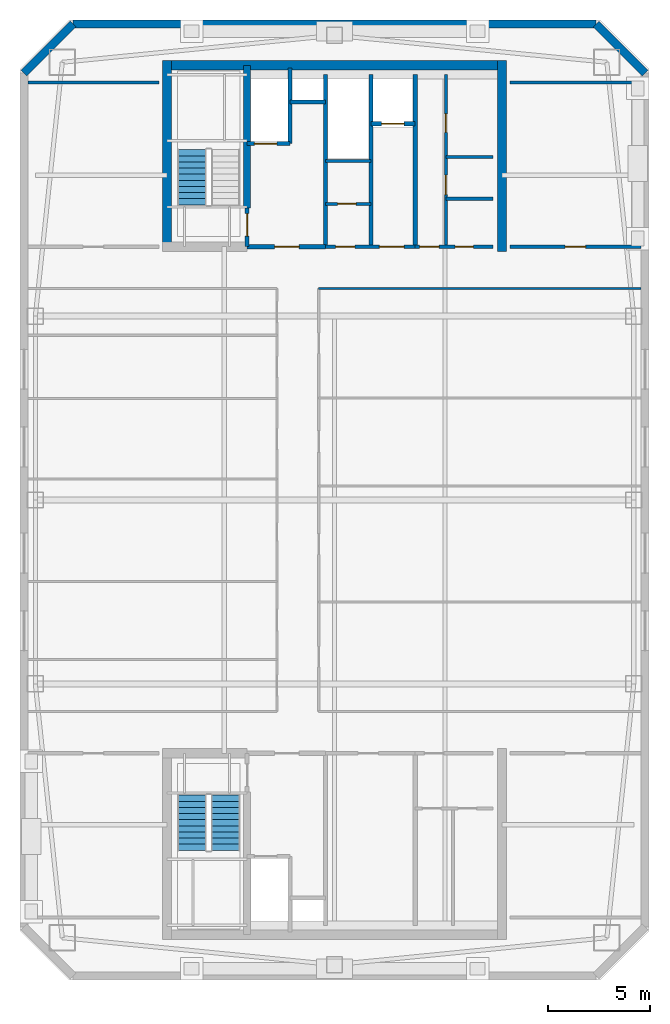
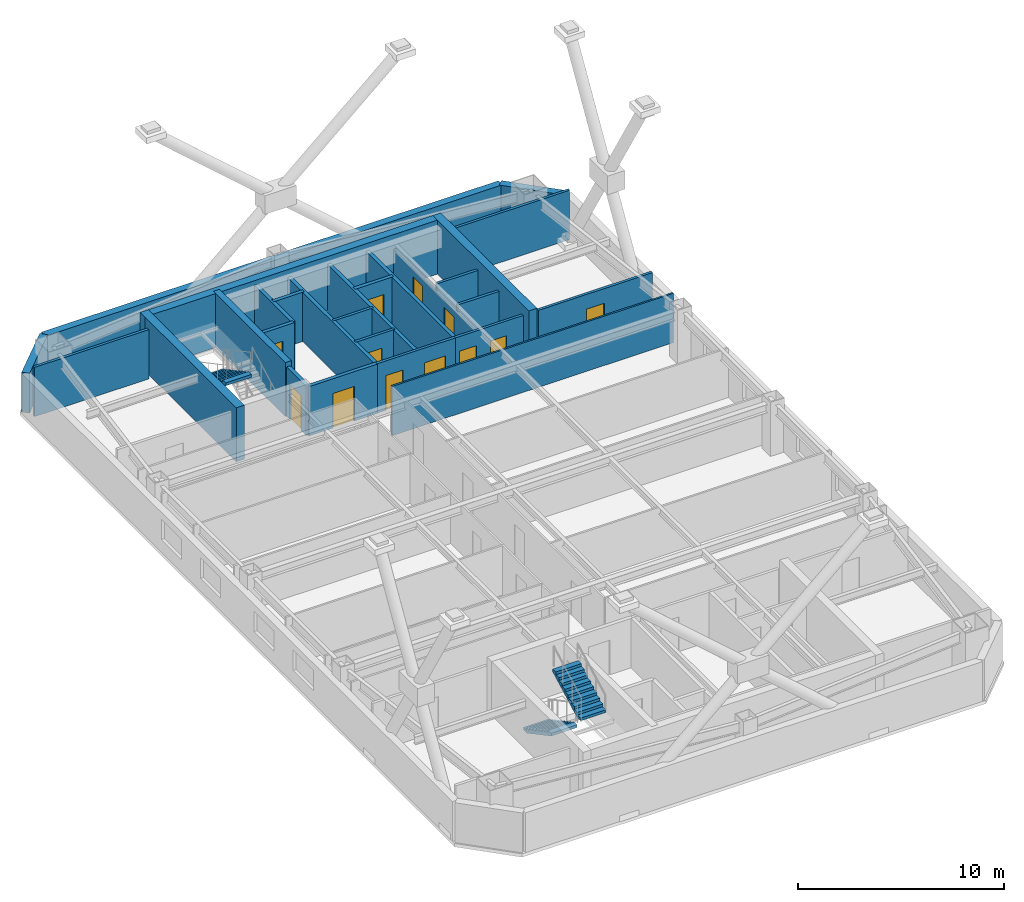
# One storey, part 4 of 6: 27 walls, 12 doors, 3 stair flights, 12 openings, 2 elements without a shape of their own.
"""IFC4 building model written with IfcOpenShell, lengths in metres."""

import ifcopenshell
import ifcopenshell.guid

model = None  # the IFC model being written
_history = None  # IfcOwnerHistory: only IFC2X3 demands one
_inside = {}  # id of a spatial element -> (the spatial element, [elements in it])
_under = {}  # id of a project, library or spatial element -> (it, [spatial elements below it])
_declared = {}  # id of a project -> (the project, [libraries it declares])
_typed = {}  # id of a type object -> (the type object, [elements of that type])
_made_of = {}  # id of a material, layer set ... -> (it, [elements and type objects made of it])


def new_model(schema):
    """Start an empty IFC model of exactly this schema.

    Asked for "IFC4X3", IfcOpenShell would pick the latest addendum, in which some entities
    have other attributes; the version numbers below select the first issue.
    IFC2X3 requires an IfcOwnerHistory on every rooted entity: one is made here for all.
    """
    global model, _history
    if schema == "IFC4X3":
        model = ifcopenshell.file(schema_version=(4, 3, 0, 0))
    else:
        model = ifcopenshell.file(schema=schema)
    _inside.clear()
    _under.clear()
    _declared.clear()
    _typed.clear()
    _made_of.clear()
    _history = None
    if model.schema == "IFC2X3":
        org = make("IfcOrganization", Name="unknown")
        user = make(
            "IfcPersonAndOrganization",
            ThePerson=make("IfcPerson", FamilyName="unknown"),
            TheOrganization=org,
        )
        app = make(
            "IfcApplication",
            ApplicationDeveloper=org,
            Version="unknown",
            ApplicationFullName="unknown",
            ApplicationIdentifier="unknown",
        )
        _history = make(
            "IfcOwnerHistory",
            OwningUser=user,
            OwningApplication=app,
            ChangeAction="ADDED",
            CreationDate=0,
        )
    return model


def make(cls, **values):
    """One entity of the class cls with the attributes given. An attribute that is None is left unset."""
    return model.create_entity(
        cls, **{name: value for name, value in values.items() if value is not None}
    )


def rooted(cls, **values):
    """An entity with a GlobalId (a new one), such as an element, a storey or a relation."""
    return make(cls, GlobalId=ifcopenshell.guid.new(), OwnerHistory=_history, **values)


def si_unit(unit_type, name, prefix=None):
    """IfcSIUnit, for example si_unit("LENGTHUNIT", "METRE", prefix="MILLI")."""
    return make("IfcSIUnit", UnitType=unit_type, Prefix=prefix, Name=name)


def assignment(units):
    """IfcUnitAssignment: the units of a project."""
    return None if units is None else make("IfcUnitAssignment", Units=units)


def point(xyz):
    """IfcCartesianPoint."""
    return None if xyz is None else make("IfcCartesianPoint", Coordinates=xyz)


def direction(xyz):
    """IfcDirection."""
    return None if xyz is None else make("IfcDirection", DirectionRatios=xyz)


def frame(location, z_axis=None, x_axis=None):
    """IfcAxis2Placement3D, a coordinate frame: its origin and axes. An axis left out is left unset."""
    return make(
        "IfcAxis2Placement3D",
        Location=point(location),
        Axis=direction(z_axis),
        RefDirection=direction(x_axis),
    )


def frame_2d(location, x_axis=None):
    """IfcAxis2Placement2D, a coordinate frame in the plane: its origin and x axis."""
    return make(
        "IfcAxis2Placement2D", Location=point(location), RefDirection=direction(x_axis)
    )


def origin():
    """The frame at (0, 0, 0) with its axes left unset."""
    return frame((0.0, 0.0, 0.0))


def place(relative_to, where):
    """IfcLocalPlacement: puts the frame where relative to a parent placement (None: the world)."""
    return make(
        "IfcLocalPlacement", PlacementRelTo=relative_to, RelativePlacement=where
    )


def context(
    kind, dimensions, precision=None, world=None, true_north=None, identifier=None
):
    """IfcGeometricRepresentationContext, for example the 3D "Model" context."""
    return make(
        "IfcGeometricRepresentationContext",
        ContextIdentifier=identifier,
        ContextType=kind,
        CoordinateSpaceDimension=dimensions,
        Precision=precision,
        WorldCoordinateSystem=world,
        TrueNorth=true_north,
    )


def subcontext(parent, identifier, kind, view, scale=None):
    """IfcGeometricRepresentationSubContext, for example "Body" below "Model"."""
    return make(
        "IfcGeometricRepresentationSubContext",
        ContextIdentifier=identifier,
        ContextType=kind,
        ParentContext=parent,
        TargetScale=scale,
        TargetView=view,
    )


def project(units=None, contexts=None):
    """IfcProject with its units and contexts."""
    return rooted(
        "IfcProject",
        Name="project",
        RepresentationContexts=contexts,
        UnitsInContext=assignment(units),
    )


def spatial(cls, under=None, at=None, **own):
    """A site, building, storey or space (cls), placed at a placement, below another one or the project."""
    s = rooted(cls, ObjectPlacement=at, **own)
    if under is not None:
        _under.setdefault(under.id(), (under, []))[1].append(s)
    return s


def polyline(points):
    """IfcPolyline through the points."""
    return make("IfcPolyline", Points=[point(p) for p in points])


def profile(cls, at=None, kind="AREA", **sizes):
    """A parametric profile (cls). Its sizes go by their IFC names, for example OverallWidth=200.0."""
    return make(cls, ProfileType=kind, Position=at, **sizes)


def rectangle(**sizes):
    """IfcRectangleProfileDef."""
    return profile("IfcRectangleProfileDef", **sizes)


def outline(outer, holes=None, kind="AREA"):
    """IfcArbitraryClosedProfileDef: a profile drawn as a closed curve; with holes, ...WithVoids."""
    if holes is None:
        return make("IfcArbitraryClosedProfileDef", ProfileType=kind, OuterCurve=outer)
    return make(
        "IfcArbitraryProfileDefWithVoids",
        ProfileType=kind,
        OuterCurve=outer,
        InnerCurves=holes,
    )


def extrude(swept, where, along, depth):
    """IfcExtrudedAreaSolid: the profile swept, set in the frame where, extruded along a direction by depth."""
    return make(
        "IfcExtrudedAreaSolid",
        SweptArea=swept,
        Position=where,
        ExtrudedDirection=direction(along),
        Depth=depth,
    )


def shape(context_of_items, identifier, shape_type, items):
    """IfcShapeRepresentation: the items that make up one representation, for example the "Body"."""
    return make(
        "IfcShapeRepresentation",
        ContextOfItems=context_of_items,
        RepresentationIdentifier=identifier,
        RepresentationType=shape_type,
        Items=items,
    )


def material(Name=None, Category=None):
    """IfcMaterial."""
    return make("IfcMaterial", Name=Name, Category=Category)


def layer(
    of_material, thickness, ventilated=None, Name=None, Category=None, Priority=None
):
    """IfcMaterialLayer: one layer of a wall or slab, of a material (None: an air gap)."""
    return make(
        "IfcMaterialLayer",
        Material=of_material,
        LayerThickness=thickness,
        IsVentilated=ventilated,
        Name=Name,
        Category=Category,
        Priority=Priority,
    )


def layer_set(layers, Name=None):
    """IfcMaterialLayerSet."""
    return make("IfcMaterialLayerSet", MaterialLayers=layers, LayerSetName=Name)


def made_of(thing, what):
    """Note that an element or type object is made of a material, layer set ...; save() writes the relation."""
    if what is not None:
        _made_of.setdefault(what.id(), (what, []))[1].append(thing)
    return thing


def type_object(cls, material=None, **own):
    """A type object (cls), such as IfcWallType, which elements share."""
    return made_of(rooted(cls, **own), material)


def element(
    cls,
    number,
    at=None,
    inside=None,
    cuts=None,
    type_object=None,
    material=None,
    context=None,
    identifier="Body",
    shape_type=None,
    held_by="IfcProductDefinitionShape",
    body=None,
    shapes=None,
    **own,
):
    """One element of the class cls, such as IfcWall. Its Tag is "e" and its number.

    at: its placement. inside: the storey or other place that contains it. cuts: it is an
    opening in that element (IfcRelVoidsElement). A single representation is given by context,
    identifier, shape_type and body (its items); several are given by shapes. held_by: the class
    of the entity that holds the representations. save() writes the other relations.
    """
    e = rooted(cls, Tag="e%d" % number, ObjectPlacement=at, **own)
    if body is not None:
        shapes = [shape(context, identifier, shape_type, body)]
    if shapes is not None:
        e.Representation = make(held_by, Representations=shapes)
    if inside is not None:
        _inside.setdefault(inside.id(), (inside, []))[1].append(e)
    if cuts is not None:
        rooted(
            "IfcRelVoidsElement", RelatingBuildingElement=cuts, RelatedOpeningElement=e
        )
    if type_object is not None:
        _typed.setdefault(type_object.id(), (type_object, []))[1].append(e)
    return made_of(e, material)


def fill(opening, filler):
    """IfcRelFillsElement: the door or window that sits in an opening."""
    return rooted(
        "IfcRelFillsElement",
        RelatingOpeningElement=opening,
        RelatedBuildingElement=filler,
    )


def aggregate(whole, parts):
    """IfcRelAggregates: a whole, such as a stair, and the parts it consists of."""
    return rooted("IfcRelAggregates", RelatingObject=whole, RelatedObjects=parts)


def save(model, path):
    """Write the relations noted so far, then the file.

    IfcRelAggregates (storeys below a building ...), IfcRelContainedInSpatialStructure (elements
    in a storey), IfcRelDefinesByType, IfcRelAssociatesMaterial and IfcRelDeclares: one each for
    every whole, place, type object, material and project.
    """
    for whole, parts in _under.values():
        aggregate(whole, parts)
    for where, things in _inside.values():
        rooted(
            "IfcRelContainedInSpatialStructure",
            RelatedElements=things,
            RelatingStructure=where,
        )
    for kind, things in _typed.values():
        rooted("IfcRelDefinesByType", RelatedObjects=things, RelatingType=kind)
    for what, things in _made_of.values():
        rooted("IfcRelAssociatesMaterial", RelatedObjects=things, RelatingMaterial=what)
    for by, libraries in _declared.values():
        rooted("IfcRelDeclares", RelatingContext=by, RelatedDefinitions=libraries)
    model.write(path)


model = new_model("IFC4")

# Units and contexts
model_context = context("Model", 3, precision=1e-05, world=origin(), true_north=direction((0.0, 1.0)))
body_context = subcontext(model_context, "Body", "Model", "MODEL_VIEW")
ifc_project = project(units=[si_unit("LENGTHUNIT", "METRE"), si_unit("AREAUNIT", "SQUARE_METRE"), si_unit("VOLUMEUNIT", "CUBIC_METRE"), si_unit("PLANEANGLEUNIT", "RADIAN"), si_unit("MASSUNIT", "GRAM", prefix="KILO")], contexts=[model_context])

# Site, building, storey
site_placement = place(None, origin())
site = spatial("IfcSite", under=ifc_project, at=site_placement, CompositionType="ELEMENT")
building_placement = place(site_placement, origin())
building = spatial("IfcBuilding", under=site, at=building_placement, Name="Qiaolan Cultural Towers", CompositionType="ELEMENT")
storey_placement = place(building_placement, frame((0.0, 0.0, 263.199951171875)))
storey = spatial("IfcBuildingStorey", under=building, at=storey_placement, Name="L72", CompositionType="ELEMENT", Elevation=263.199951171875)

# Walls
ifc_material_1 = material(Name="Concrete C50", Category="concrete")
ifc_layer_1 = layer(ifc_material_1, 0.35009765625)
ifc_layer_set_1 = layer_set([ifc_layer_1], Name="Concrete C50")
wall_type_1 = type_object("IfcWallType", Name="WL-CORE-350", PredefinedType="SHEAR", material=ifc_layer_set_1)
wall_1_placement = place(storey_placement, frame((25.719970703125, 48.300048828125, 0.0), z_axis=(0.0, 0.0, 1.0), x_axis=(0.0, 1.0, 0.0)))
element("IfcWall", 1, at=wall_1_placement, inside=storey, type_object=wall_type_1, Name="L72 T1-CN Stair Core Dividing Web", PredefinedType="SHEAR", context=body_context, shape_type="SweptSolid", body=[
    extrude(rectangle(XDim=6.97998046875, YDim=0.35009765625, at=frame_2d((3.489990234375, 0.0))), origin(), (0.0, 0.0, 1.0), 3.199951171875),
])
ifc_material_2 = material(Name="Concrete C50", Category="concrete")
ifc_layer_2 = layer(ifc_material_2, 0.449951171875)
ifc_layer_set_2 = layer_set([ifc_layer_2], Name="Concrete C50")
wall_type_2 = type_object("IfcWallType", Name="WL-CORE-450", PredefinedType="SHEAR", material=ifc_layer_set_2)
wall_2_placement = place(storey_placement, frame((21.574951171875, 55.280029296875, 0.0), z_axis=(0.0, 0.0, 1.0), x_axis=(1.0, 0.0, 0.0)))
element("IfcWall", 2, at=wall_2_placement, inside=storey, type_object=wall_type_2, Name="L72 T1-CN Outer Core Shear Wall", PredefinedType="SHEAR", context=body_context, shape_type="SweptSolid", body=[
    extrude(rectangle(XDim=16.85009765625, YDim=0.449951171875, at=frame_2d((8.425048828125, 0.0))), origin(), (0.0, 0.0, 1.0), 3.199951171875),
])
for number, where, z_axis, x_axis, name in (
    (3, (21.800048828125, 46.175048828125, 0.0), (0.0, 0.0, 1.0), (0.0, 1.0, 0.0), "L72 T1-CN West Core Shear Wall"),
    (4, (38.199951171875, 46.175048828125, 0.0), (0.0, 0.0, 1.0), (0.0, 1.0, 0.0), "L72 T1-CN East Core Shear Wall"),
):
    element("IfcWall", number, at=place(storey_placement, frame(where, z_axis=z_axis, x_axis=x_axis)), inside=storey, type_object=wall_type_2, Name=name, PredefinedType="SHEAR", context=body_context, shape_type="SweptSolid", body=[
        extrude(rectangle(XDim=9.329833984375, YDim=0.449951171875, at=frame_2d((4.6650390625, 0.0))), origin(), (0.0, 0.0, 1.0), 3.199951171875),
    ])
ifc_material_3 = material(Name="Precast Concrete C50 Honed Stone Pier", Category="masonry")
ifc_layer_3 = layer(ifc_material_3, 0.39990234375)
ifc_layer_set_3 = layer_set([ifc_layer_3], Name="Precast Concrete C50 Honed Stone Pier")
wall_type_3 = type_object("IfcWallType", Name="WL-EXT-PIER-400", PredefinedType="SOLIDWALL", material=ifc_layer_set_3)
wall_3_placement = place(storey_placement, frame((14.800048828125, 54.89990234375, 0.0), z_axis=(0.0, 0.0, 1.0), x_axis=(0.707070815327, 0.707142745217, 0.0)))
element("IfcWall", 5, at=wall_3_placement, inside=storey, type_object=wall_type_3, Name="L72 West Tower Precast Pier Facade Wall F2", PredefinedType="SOLIDWALL", context=body_context, shape_type="SweptSolid", body=[
    extrude(rectangle(XDim=3.39404296875, YDim=0.39990234375, at=frame_2d((1.697021484375, 0.0))), origin(), (0.0, 0.0, 1.0), 2.360107421875),
])
wall_4_placement = place(storey_placement, frame((17.199951171875, 57.300048828125, 0.0), z_axis=(0.0, 0.0, 1.0), x_axis=(1.0, 0.0, 0.0)))
element("IfcWall", 6, at=wall_4_placement, inside=storey, type_object=wall_type_3, Name="L72 West Tower Precast Pier Facade Wall F3", PredefinedType="SOLIDWALL", context=body_context, shape_type="SweptSolid", body=[
    extrude(rectangle(XDim=25.60009765625, YDim=0.39990234375, at=frame_2d((12.800048828125, 0.0))), origin(), (0.0, 0.0, 1.0), 2.360107421875),
])
wall_5_placement = place(storey_placement, frame((42.800048828125, 57.300048828125, 0.0), z_axis=(0.0, 0.0, 1.0), x_axis=(0.707070815327, -0.707142745217, 0.0)))
element("IfcWall", 7, at=wall_5_placement, inside=storey, type_object=wall_type_3, Name="L72 West Tower Precast Pier Facade Wall F4", PredefinedType="SOLIDWALL", context=body_context, shape_type="SweptSolid", body=[
    extrude(rectangle(XDim=3.39404296875, YDim=0.39990234375, at=frame_2d((1.697021484375, 0.0))), origin(), (0.0, 0.0, 1.0), 2.360107421875),
])

# Wall, opening, door
ifc_material_4 = material(Name="Concrete C35 Fire Wall", Category="concrete")
ifc_layer_4 = layer(ifc_material_4, 0.199951171875)
ifc_layer_set_4 = layer_set([ifc_layer_4], Name="Concrete C35 Fire Wall")
wall_type_4 = type_object("IfcWallType", Name="WL-FIRE-200", PredefinedType="PARTITIONING", material=ifc_layer_set_4)
wall_6_placement = place(storey_placement, frame((25.719970703125, 46.39990234375, 0.0), z_axis=(0.0, 0.0, 1.0), x_axis=(0.0, 1.0, 0.0)))
wall_6 = element("IfcWall", 8, at=wall_6_placement, inside=storey, type_object=wall_type_4, Name="L72 T1-CN Smokeproof Stair Entry Wall", PredefinedType="PARTITIONING", context=body_context, shape_type="SweptSolid", body=[
    extrude(rectangle(XDim=1.900146484375, YDim=0.199951171875, at=frame_2d((0.9501953125, 0.0))), origin(), (0.0, 0.0, 1.0), 2.925048828125),
])
opening_1_placement = place(wall_6_placement, frame((0.52001953125, 0.0, 0.0)))
opening_1 = element("IfcOpeningElement", 9, at=opening_1_placement, cuts=wall_6, Name="Opening FD-04", PredefinedType="OPENING", context=body_context, shape_type="SweptSolid", body=[
    extrude(rectangle(XDim=1.10009765625, YDim=2.050048828125, at=frame_2d((0.550048828125, 1.02490234375))), frame((0.0, 0.10986328125, 0.0), z_axis=(0.0, -1.0, 0.0), x_axis=(1.0, 0.0, 0.0)), (0.0, 0.0, 1.0), 0.219970703125),
])
ifc_material_5 = material(Name="Galvanized Steel Command Fire Door", Category="steel")
door_type_1 = type_object("IfcDoorType", Name="DR-FD90-1100", OperationType="NOTDEFINED", PredefinedType="DOOR", material=ifc_material_5)
door_1_placement = place(opening_1_placement, origin())
door_1 = element("IfcDoor", 10, at=door_1_placement, inside=storey, type_object=door_type_1, Name="L72 ST-W2 Smokeproof Stair Fire Door", OperationType="SINGLE_SWING_LEFT", OverallHeight=2.050048828125, OverallWidth=1.10009765625, PredefinedType="DOOR", context=body_context, shape_type="SweptSolid", body=[
    extrude(rectangle(XDim=1.10009765625, YDim=2.050048828125, at=frame_2d((0.550048828125, 1.02490234375))), frame((0.0, 0.02490234375, 0.0), z_axis=(0.0, -1.0, 0.0), x_axis=(1.0, 0.0, 0.0)), (0.0, 0.0, 1.0), 0.050048828125),
])
fill(opening_1, door_1)

# Wall
wall_7_placement = place(storey_placement, frame((29.550048828125, 46.39990234375, 0.0), z_axis=(0.0, 0.0, 1.0), x_axis=(0.0, 1.0, 0.0)))
element("IfcWall", 11, at=wall_7_placement, inside=storey, type_object=wall_type_4, Name="L72 T1-CN Firefighting Zone Wall", PredefinedType="PARTITIONING", context=body_context, shape_type="SweptSolid", body=[
    extrude(rectangle(XDim=8.43017578125, YDim=0.199951171875, at=frame_2d((4.215087890625, 0.0))), origin(), (0.0, 0.0, 1.0), 2.925048828125),
])

# Wall, opening, door
wall_8_placement = place(storey_placement, frame((25.719970703125, 46.39990234375, 0.0), z_axis=(0.0, 0.0, 1.0), x_axis=(1.0, 0.0, 0.0)))
wall_8 = element("IfcWall", 12, at=wall_8_placement, inside=storey, type_object=wall_type_4, Name="L72 T1-CN Firefighting Lobby Front Wall", PredefinedType="PARTITIONING", context=body_context, shape_type="SweptSolid", body=[
    extrude(rectangle(XDim=3.830078125, YDim=0.199951171875, at=frame_2d((1.9150390625, 0.0))), origin(), (0.0, 0.0, 1.0), 2.925048828125),
])
opening_2_placement = place(wall_8_placement, frame((1.35009765625, 0.0, 0.0)))
opening_2 = element("IfcOpeningElement", 13, at=opening_2_placement, cuts=wall_8, Name="Opening FD-03", PredefinedType="OPENING", context=body_context, shape_type="SweptSolid", body=[
    extrude(rectangle(XDim=1.199951171875, YDim=2.050048828125, at=frame_2d((0.60009765625, 1.02490234375))), frame((0.0, 0.10986328125, 0.0), z_axis=(0.0, -1.0, 0.0), x_axis=(1.0, 0.0, 0.0)), (0.0, 0.0, 1.0), 0.219970703125),
])
ifc_material_6 = material(Name="Galvanized Steel Smokeproof Lobby Fire Door", Category="steel")
door_type_2 = type_object("IfcDoorType", Name="DR-FD90-1200", OperationType="NOTDEFINED", PredefinedType="DOOR", material=ifc_material_6)
door_2_placement = place(opening_2_placement, origin())
door_2 = element("IfcDoor", 14, at=door_2_placement, inside=storey, type_object=door_type_2, Name="L72 FFL-W2 Firefighting Lobby Fire Door", OperationType="SINGLE_SWING_LEFT", OverallHeight=2.050048828125, OverallWidth=1.199951171875, PredefinedType="DOOR", context=body_context, shape_type="SweptSolid", body=[
    extrude(rectangle(XDim=1.199951171875, YDim=2.050048828125, at=frame_2d((0.60009765625, 1.02490234375))), frame((0.0, 0.02490234375, 0.0), z_axis=(0.0, -1.0, 0.0), x_axis=(1.0, 0.0, 0.0)), (0.0, 0.0, 1.0), 0.050048828125),
])
fill(opening_2, door_2)

wall_9_placement = place(storey_placement, frame((25.719970703125, 51.449951171875, 0.0), z_axis=(0.0, 0.0, 1.0), x_axis=(1.0, 0.0, 0.0)))
wall_9 = element("IfcWall", 15, at=wall_9_placement, inside=storey, type_object=wall_type_4, Name="L72 T1-CN Firefighting Shaft Front Wall", PredefinedType="PARTITIONING", context=body_context, shape_type="SweptSolid", body=[
    extrude(rectangle(XDim=2.10009765625, YDim=0.199951171875, at=frame_2d((1.050048828125, 0.0))), origin(), (0.0, 0.0, 1.0), 2.925048828125),
])
opening_3_placement = place(wall_9_placement, frame((0.35009765625, 0.0, 0.0)))
opening_3 = element("IfcOpeningElement", 16, at=opening_3_placement, cuts=wall_9, Name="Opening LD-01", PredefinedType="OPENING", context=body_context, shape_type="SweptSolid", body=[
    extrude(rectangle(XDim=1.10009765625, YDim=2.050048828125, at=frame_2d((0.550048828125, 1.02490234375))), frame((0.0, 0.10986328125, 0.0), z_axis=(0.0, -1.0, 0.0), x_axis=(1.0, 0.0, 0.0)), (0.0, 0.0, 1.0), 0.219970703125),
])
ifc_material_7 = material(Name="Brushed Stainless Steel S30408 Centre-Parting Lift Landing Door", Category="steel")
door_type_3 = type_object("IfcDoorType", Name="DR-LIFT-1100", OperationType="NOTDEFINED", PredefinedType="DOOR", material=ifc_material_7)
door_3_placement = place(opening_3_placement, origin())
door_3 = element("IfcDoor", 17, at=door_3_placement, inside=storey, type_object=door_type_3, Name="L72 FFL-W2 Firefighting Lift Landing Door", OperationType="DOUBLE_DOOR_SLIDING", OverallHeight=2.050048828125, OverallWidth=1.10009765625, PredefinedType="DOOR", context=body_context, shape_type="SweptSolid", body=[
    extrude(rectangle(XDim=1.10009765625, YDim=2.050048828125, at=frame_2d((0.550048828125, 1.02490234375))), frame((0.0, 0.02490234375, 0.0), z_axis=(0.0, -1.0, 0.0), x_axis=(1.0, 0.0, 0.0)), (0.0, 0.0, 1.0), 0.050048828125),
])
fill(opening_3, door_3)

# Walls
wall_10_placement = place(storey_placement, frame((27.820068359375, 51.449951171875, 0.0), z_axis=(0.0, 0.0, 1.0), x_axis=(0.0, 1.0, 0.0)))
element("IfcWall", 18, at=wall_10_placement, inside=storey, type_object=wall_type_4, Name="L72 T1-CN Firefighting Hoistway East Wall", PredefinedType="PARTITIONING", context=body_context, shape_type="SweptSolid", body=[
    extrude(rectangle(XDim=3.699951171875, YDim=0.199951171875, at=frame_2d((1.85009765625, 0.0))), origin(), (0.0, 0.0, 1.0), 2.925048828125),
])
wall_11_placement = place(storey_placement, frame((27.820068359375, 53.47998046875, 0.0), z_axis=(0.0, 0.0, 1.0), x_axis=(1.0, 0.0, 0.0)))
element("IfcWall", 19, at=wall_11_placement, inside=storey, type_object=wall_type_4, Name="L72 T1-CN Pressurization Shaft Front Wall", PredefinedType="PARTITIONING", context=body_context, shape_type="SweptSolid", body=[
    extrude(rectangle(XDim=1.72998046875, YDim=0.199951171875, at=frame_2d((0.864990234375, 0.0))), origin(), (0.0, 0.0, 1.0), 2.925048828125),
])
for number, where, z_axis, x_axis, name in (
    (20, (33.949951171875, 46.39990234375, 0.0), (0.0, 0.0, 1.0), (0.0, 1.0, 0.0), "L72 T1-CN Lift Core East Wall"),
    (21, (31.780029296875, 46.39990234375, 0.0), (0.0, 0.0, 1.0), (0.0, 1.0, 0.0), "L72 T1-CN Sky Shuttle Lift Zone Wall"),
):
    element("IfcWall", number, at=place(storey_placement, frame(where, z_axis=z_axis, x_axis=x_axis)), inside=storey, type_object=wall_type_4, Name=name, PredefinedType="PARTITIONING", context=body_context, shape_type="SweptSolid", body=[
        extrude(rectangle(XDim=8.43017578125, YDim=0.199951171875, at=frame_2d((4.215087890625, 0.0))), origin(), (0.0, 0.0, 1.0), 2.925048828125),
    ])

# Wall, opening, door
wall_12_placement = place(storey_placement, frame((31.780029296875, 52.419921875, 0.0), z_axis=(0.0, 0.0, 1.0), x_axis=(1.0, 0.0, 0.0)))
wall_12 = element("IfcWall", 22, at=wall_12_placement, inside=storey, type_object=wall_type_4, Name="L72 T1-CN Shuttle Lift Shaft Front", PredefinedType="PARTITIONING", context=body_context, shape_type="SweptSolid", body=[
    extrude(rectangle(XDim=2.169921875, YDim=0.199951171875, at=frame_2d((1.0849609375, 0.0))), origin(), (0.0, 0.0, 1.0), 2.925048828125),
])
opening_4_placement = place(wall_12_placement, frame((0.52001953125, 0.0, 0.0)))
opening_4 = element("IfcOpeningElement", 23, at=opening_4_placement, cuts=wall_12, Name="Opening LD-01", PredefinedType="OPENING", context=body_context, shape_type="SweptSolid", body=[
    extrude(rectangle(XDim=1.10009765625, YDim=2.050048828125, at=frame_2d((0.550048828125, 1.02490234375))), frame((0.0, 0.10986328125, 0.0), z_axis=(0.0, -1.0, 0.0), x_axis=(1.0, 0.0, 0.0)), (0.0, 0.0, 1.0), 0.219970703125),
])
door_4_placement = place(opening_4_placement, origin())
door_4 = element("IfcDoor", 24, at=door_4_placement, inside=storey, type_object=door_type_3, Name="L72 Sky Shuttle Lift Landing Door", OperationType="DOUBLE_DOOR_SLIDING", OverallHeight=2.050048828125, OverallWidth=1.10009765625, PredefinedType="DOOR", context=body_context, shape_type="SweptSolid", body=[
    extrude(rectangle(XDim=1.10009765625, YDim=2.050048828125, at=frame_2d((0.550048828125, 1.02490234375))), frame((0.0, 0.02490234375, 0.0), z_axis=(0.0, -1.0, 0.0), x_axis=(1.0, 0.0, 0.0)), (0.0, 0.0, 1.0), 0.050048828125),
])
fill(opening_4, door_4)

# Wall
ifc_material_8 = material(Name="Acoustic Double-Glazed Partition Frame", Category="glass")
ifc_layer_5 = layer(ifc_material_8, 0.10009765625)
ifc_layer_set_5 = layer_set([ifc_layer_5], Name="Acoustic Double-Glazed Partition Frame")
wall_type_5 = type_object("IfcWallType", Name="WL-GLAZED-100", PredefinedType="MOVABLE", material=ifc_layer_set_5)
wall_13_placement = place(storey_placement, frame((29.22509765625, 44.35009765625, 0.0), z_axis=(0.0, 0.0, 1.0), x_axis=(1.0, 0.0, 0.0)))
element("IfcWall", 25, at=wall_13_placement, inside=storey, type_object=wall_type_5, Name="L72 T1 North Corridor Right Wall", PredefinedType="MOVABLE", context=body_context, shape_type="SweptSolid", body=[
    extrude(rectangle(XDim=15.77490234375, YDim=0.10009765625, at=frame_2d((7.887451171875, 0.0))), origin(), (0.0, 0.0, 1.0), 2.925048828125),
])

# Wall, openings, doors
ifc_material_9 = material(Name="Autoclaved Aerated Concrete Block B06", Category="concrete")
ifc_layer_6 = layer(ifc_material_9, 0.14990234375)
ifc_layer_set_6 = layer_set([ifc_layer_6], Name="Autoclaved Aerated Concrete Block B06")
wall_type_6 = type_object("IfcWallType", Name="WL-PART-150", PredefinedType="PARTITIONING", material=ifc_layer_set_6)
wall_14_placement = place(storey_placement, frame((29.550048828125, 46.39990234375, 0.0), z_axis=(0.0, 0.0, 1.0), x_axis=(1.0, 0.0, 0.0)))
wall_14 = element("IfcWall", 26, at=wall_14_placement, inside=storey, type_object=wall_type_6, Name="L72 T1-CN High-Zone Lift Lobby Wall", PredefinedType="PARTITIONING", context=body_context, shape_type="SweptSolid", body=[
    extrude(rectangle(XDim=4.39990234375, YDim=0.14990234375, at=frame_2d((2.199951171875, 0.0))), origin(), (0.0, 0.0, 1.0), 2.925048828125),
])
opening_5_placement = place(wall_14_placement, frame((0.5, 0.0, 0.0)))
opening_5 = element("IfcOpeningElement", 27, at=opening_5_placement, cuts=wall_14, Name="Opening ID-05", PredefinedType="OPENING", context=body_context, shape_type="SweptSolid", body=[
    extrude(rectangle(XDim=0.949951171875, YDim=2.050048828125, at=frame_2d((0.47509765625, 1.02490234375))), frame((0.0, 0.0849609375, 0.0), z_axis=(0.0, -1.0, 0.0), x_axis=(1.0, 0.0, 0.0)), (0.0, 0.0, 1.0), 0.169921875),
])
opening_6_placement = place(wall_14_placement, frame((2.64990234375, 0.0, 0.0)))
opening_6 = element("IfcOpeningElement", 28, at=opening_6_placement, cuts=wall_14, Name="Opening FD-06", PredefinedType="OPENING", context=body_context, shape_type="SweptSolid", body=[
    extrude(rectangle(XDim=1.199951171875, YDim=2.050048828125, at=frame_2d((0.60009765625, 1.02490234375))), frame((0.0, 0.0849609375, 0.0), z_axis=(0.0, -1.0, 0.0), x_axis=(1.0, 0.0, 0.0)), (0.0, 0.0, 1.0), 0.169921875),
])
ifc_material_10 = material(Name="Painted Steel Plant Fire Door", Category="steel")
door_type_4 = type_object("IfcDoorType", Name="DR-FD60-1200", OperationType="NOTDEFINED", PredefinedType="DOOR", material=ifc_material_10)
door_5_placement = place(opening_6_placement, origin())
door_5 = element("IfcDoor", 29, at=door_5_placement, inside=storey, type_object=door_type_4, Name="L72 Sky Shuttle Lift Lobby Door", OperationType="SINGLE_SWING_RIGHT", OverallHeight=2.050048828125, OverallWidth=1.199951171875, PredefinedType="DOOR", context=body_context, shape_type="SweptSolid", body=[
    extrude(rectangle(XDim=1.199951171875, YDim=2.050048828125, at=frame_2d((0.60009765625, 1.02490234375))), frame((0.0, 0.02490234375, 0.0), z_axis=(0.0, -1.0, 0.0), x_axis=(1.0, 0.0, 0.0)), (0.0, 0.0, 1.0), 0.050048828125),
])
fill(opening_6, door_5)
ifc_material_11 = material(Name="Fire-Rated Laminate Accessible Core Door", Category="timber")
door_type_5 = type_object("IfcDoorType", Name="DR-INT-950", OperationType="NOTDEFINED", PredefinedType="DOOR", material=ifc_material_11)
door_6_placement = place(opening_5_placement, origin())
door_6 = element("IfcDoor", 30, at=door_6_placement, inside=storey, type_object=door_type_5, Name="L72 Reclaimed Server Room Door", OperationType="SINGLE_SWING_LEFT", OverallHeight=2.050048828125, OverallWidth=0.949951171875, PredefinedType="DOOR", context=body_context, shape_type="SweptSolid", body=[
    extrude(rectangle(XDim=0.949951171875, YDim=2.050048828125, at=frame_2d((0.47509765625, 1.02490234375))), frame((0.0, 0.02490234375, 0.0), z_axis=(0.0, -1.0, 0.0), x_axis=(1.0, 0.0, 0.0)), (0.0, 0.0, 1.0), 0.050048828125),
])
fill(opening_5, door_6)

# Wall
wall_15_placement = place(storey_placement, frame((29.550048828125, 50.60009765625, 0.0), z_axis=(0.0, 0.0, 1.0), x_axis=(1.0, 0.0, 0.0)))
element("IfcWall", 31, at=wall_15_placement, inside=storey, type_object=wall_type_6, Name="L72 T1-CN High-Zone Smoke Shaft Split", PredefinedType="PARTITIONING", context=body_context, shape_type="SweptSolid", body=[
    extrude(rectangle(XDim=2.22998046875, YDim=0.14990234375, at=frame_2d((1.114990234375, 0.0))), origin(), (0.0, 0.0, 1.0), 2.925048828125),
])

# Wall, opening, door
wall_16_placement = place(storey_placement, frame((29.550048828125, 48.5, 0.0), z_axis=(0.0, 0.0, 1.0), x_axis=(1.0, 0.0, 0.0)))
wall_16 = element("IfcWall", 32, at=wall_16_placement, inside=storey, type_object=wall_type_6, Name="L72 T1-CN High-Zone Archive Suite Partition", PredefinedType="PARTITIONING", context=body_context, shape_type="SweptSolid", body=[
    extrude(rectangle(XDim=2.22998046875, YDim=0.14990234375, at=frame_2d((1.114990234375, 0.0))), origin(), (0.0, 0.0, 1.0), 2.925048828125),
])
opening_7_placement = place(wall_16_placement, frame((0.60009765625, 0.0, 0.0)))
opening_7 = element("IfcOpeningElement", 33, at=opening_7_placement, cuts=wall_16, Name="Opening ID-06", PredefinedType="OPENING", context=body_context, shape_type="SweptSolid", body=[
    extrude(rectangle(XDim=0.89990234375, YDim=2.050048828125, at=frame_2d((0.449951171875, 1.02490234375))), frame((0.0, 0.0849609375, 0.0), z_axis=(0.0, -1.0, 0.0), x_axis=(1.0, 0.0, 0.0)), (0.0, 0.0, 1.0), 0.169921875),
])
ifc_material_12 = material(Name="Fire-Rated Laminate Core Service Door", Category="timber")
door_type_6 = type_object("IfcDoorType", Name="DR-INT-900", OperationType="NOTDEFINED", PredefinedType="DOOR", material=ifc_material_12)
door_7_placement = place(opening_7_placement, origin())
door_7 = element("IfcDoor", 34, at=door_7_placement, inside=storey, type_object=door_type_6, Name="L72 Archive Vault Inner Door", OperationType="SINGLE_SWING_LEFT", OverallHeight=2.050048828125, OverallWidth=0.89990234375, PredefinedType="DOOR", context=body_context, shape_type="SweptSolid", body=[
    extrude(rectangle(XDim=0.89990234375, YDim=2.050048828125, at=frame_2d((0.449951171875, 1.02490234375))), frame((0.0, 0.02490234375, 0.0), z_axis=(0.0, -1.0, 0.0), x_axis=(1.0, 0.0, 0.0)), (0.0, 0.0, 1.0), 0.050048828125),
])
fill(opening_7, door_7)

# Wall, openings, doors
wall_17_placement = place(storey_placement, frame((33.949951171875, 46.39990234375, 0.0), z_axis=(0.0, 0.0, 1.0), x_axis=(1.0, 0.0, 0.0)))
wall_17 = element("IfcWall", 35, at=wall_17_placement, inside=storey, type_object=wall_type_6, Name="L72 T1-CN Sanitary Core Front Wall", PredefinedType="PARTITIONING", context=body_context, shape_type="SweptSolid", body=[
    extrude(rectangle(XDim=3.800048828125, YDim=0.14990234375, at=frame_2d((1.89990234375, 0.0))), origin(), (0.0, 0.0, 1.0), 2.925048828125),
])
opening_8_placement = place(wall_17_placement, frame((0.219970703125, 0.0, 0.0)))
opening_8 = element("IfcOpeningElement", 36, at=opening_8_placement, cuts=wall_17, Name="Opening ID-05", PredefinedType="OPENING", context=body_context, shape_type="SweptSolid", body=[
    extrude(rectangle(XDim=0.949951171875, YDim=2.050048828125, at=frame_2d((0.47509765625, 1.02490234375))), frame((0.0, 0.0849609375, 0.0), z_axis=(0.0, -1.0, 0.0), x_axis=(1.0, 0.0, 0.0)), (0.0, 0.0, 1.0), 0.169921875),
])
opening_9_placement = place(wall_17_placement, frame((1.949951171875, 0.0, 0.0)))
opening_9 = element("IfcOpeningElement", 37, at=opening_9_placement, cuts=wall_17, Name="Opening ID-06", PredefinedType="OPENING", context=body_context, shape_type="SweptSolid", body=[
    extrude(rectangle(XDim=0.89990234375, YDim=2.050048828125, at=frame_2d((0.449951171875, 1.02490234375))), frame((0.0, 0.0849609375, 0.0), z_axis=(0.0, -1.0, 0.0), x_axis=(1.0, 0.0, 0.0)), (0.0, 0.0, 1.0), 0.169921875),
])
door_8_placement = place(opening_9_placement, origin())
door_8 = element("IfcDoor", 38, at=door_8_placement, inside=storey, type_object=door_type_6, Name="L72 Core Tea Pantry Door", OperationType="SINGLE_SWING_RIGHT", OverallHeight=2.050048828125, OverallWidth=0.89990234375, PredefinedType="DOOR", context=body_context, shape_type="SweptSolid", body=[
    extrude(rectangle(XDim=0.89990234375, YDim=2.050048828125, at=frame_2d((0.449951171875, 1.02490234375))), frame((0.0, 0.02490234375, 0.0), z_axis=(0.0, -1.0, 0.0), x_axis=(1.0, 0.0, 0.0)), (0.0, 0.0, 1.0), 0.050048828125),
])
fill(opening_9, door_8)
door_9_placement = place(opening_8_placement, origin())
door_9 = element("IfcDoor", 39, at=door_9_placement, inside=storey, type_object=door_type_5, Name="L72 Sanitary Passage Door", OperationType="SINGLE_SWING_LEFT", OverallHeight=2.050048828125, OverallWidth=0.949951171875, PredefinedType="DOOR", context=body_context, shape_type="SweptSolid", body=[
    extrude(rectangle(XDim=0.949951171875, YDim=2.050048828125, at=frame_2d((0.47509765625, 1.02490234375))), frame((0.0, 0.02490234375, 0.0), z_axis=(0.0, -1.0, 0.0), x_axis=(1.0, 0.0, 0.0)), (0.0, 0.0, 1.0), 0.050048828125),
])
fill(opening_8, door_9)

wall_18_placement = place(storey_placement, frame((35.449951171875, 46.39990234375, 0.0), z_axis=(0.0, 0.0, 1.0), x_axis=(0.0, 1.0, 0.0)))
wall_18 = element("IfcWall", 40, at=wall_18_placement, inside=storey, type_object=wall_type_6, Name="L72 T1-CN Sanitary Corridor Wall", PredefinedType="PARTITIONING", context=body_context, shape_type="SweptSolid", body=[
    extrude(rectangle(XDim=8.43017578125, YDim=0.14990234375, at=frame_2d((4.215087890625, 0.0))), origin(), (0.0, 0.0, 1.0), 2.51513671875),
])
opening_10_placement = place(wall_18_placement, frame((2.550048828125, 0.0, 0.0)))
opening_10 = element("IfcOpeningElement", 41, at=opening_10_placement, cuts=wall_18, Name="Opening ID-05", PredefinedType="OPENING", context=body_context, shape_type="SweptSolid", body=[
    extrude(rectangle(XDim=0.949951171875, YDim=2.050048828125, at=frame_2d((0.47509765625, 1.02490234375))), frame((0.0, 0.0849609375, 0.0), z_axis=(0.0, -1.0, 0.0), x_axis=(1.0, 0.0, 0.0)), (0.0, 0.0, 1.0), 0.169921875),
])
opening_11_placement = place(wall_18_placement, frame((5.60009765625, 0.0, 0.0)))
opening_11 = element("IfcOpeningElement", 42, at=opening_11_placement, cuts=wall_18, Name="Opening ID-06", PredefinedType="OPENING", context=body_context, shape_type="SweptSolid", body=[
    extrude(rectangle(XDim=0.89990234375, YDim=2.050048828125, at=frame_2d((0.449951171875, 1.02490234375))), frame((0.0, 0.0849609375, 0.0), z_axis=(0.0, -1.0, 0.0), x_axis=(1.0, 0.0, 0.0)), (0.0, 0.0, 1.0), 0.169921875),
])
door_10_placement = place(opening_11_placement, origin())
door_10 = element("IfcDoor", 43, at=door_10_placement, inside=storey, type_object=door_type_6, Name="L72 Staff Restroom Door", OperationType="SINGLE_SWING_RIGHT", OverallHeight=2.050048828125, OverallWidth=0.89990234375, PredefinedType="DOOR", context=body_context, shape_type="SweptSolid", body=[
    extrude(rectangle(XDim=0.89990234375, YDim=2.050048828125, at=frame_2d((0.449951171875, 1.02490234375))), frame((0.0, 0.02490234375, 0.0), z_axis=(0.0, -1.0, 0.0), x_axis=(1.0, 0.0, 0.0)), (0.0, 0.0, 1.0), 0.050048828125),
])
fill(opening_11, door_10)
door_11_placement = place(opening_10_placement, origin())
door_11 = element("IfcDoor", 44, at=door_11_placement, inside=storey, type_object=door_type_5, Name="L72 Accessible Washroom Door", OperationType="SINGLE_SWING_LEFT", OverallHeight=2.050048828125, OverallWidth=0.949951171875, PredefinedType="DOOR", context=body_context, shape_type="SweptSolid", body=[
    extrude(rectangle(XDim=0.949951171875, YDim=2.050048828125, at=frame_2d((0.47509765625, 1.02490234375))), frame((0.0, 0.02490234375, 0.0), z_axis=(0.0, -1.0, 0.0), x_axis=(1.0, 0.0, 0.0)), (0.0, 0.0, 1.0), 0.050048828125),
])
fill(opening_10, door_11)

# Walls
for number, where, z_axis, x_axis, name in (
    (45, (35.449951171875, 50.800048828125, 0.0), (0.0, 0.0, 1.0), (1.0, 0.0, 0.0), "L72 T1-CN Restroom Split Wall"),
    (46, (35.449951171875, 48.75, 0.0), (0.0, 0.0, 1.0), (1.0, 0.0, 0.0), "L72 T1-CN Core Pantry Wall"),
):
    element("IfcWall", number, at=place(storey_placement, frame(where, z_axis=z_axis, x_axis=x_axis)), inside=storey, type_object=wall_type_6, Name=name, PredefinedType="PARTITIONING", context=body_context, shape_type="SweptSolid", body=[
        extrude(rectangle(XDim=2.300048828125, YDim=0.14990234375, at=frame_2d((1.14990234375, 0.0))), origin(), (0.0, 0.0, 1.0), 2.925048828125),
    ])
for number, where, z_axis, x_axis, name in (
    (47, (15.0, 54.449951171875, 0.0), (0.0, 0.0, 1.0), (1.0, 0.0, 0.0), "L72 T1 Flank Wall FLK-NW"),
    (48, (38.60009765625, 54.449951171875, 0.0), (0.0, 0.0, 1.0), (1.0, 0.0, 0.0), "L72 T1 Flank Wall FLK-NE"),
):
    element("IfcWall", number, at=place(storey_placement, frame(where, z_axis=z_axis, x_axis=x_axis)), inside=storey, type_object=wall_type_6, Name=name, PredefinedType="PARTITIONING", context=body_context, shape_type="SweptSolid", body=[
        extrude(rectangle(XDim=6.39990234375, YDim=0.14990234375, at=frame_2d((3.199951171875, 0.0))), origin(), (0.0, 0.0, 1.0), 2.925048828125),
    ])

# Wall, opening, door
wall_19_placement = place(storey_placement, frame((38.60009765625, 46.39990234375, 0.0), z_axis=(0.0, 0.0, 1.0), x_axis=(1.0, 0.0, 0.0)))
wall_19 = element("IfcWall", 49, at=wall_19_placement, inside=storey, type_object=wall_type_6, Name="L72 T1 Flank Front FLK-NE", PredefinedType="PARTITIONING", context=body_context, shape_type="SweptSolid", body=[
    extrude(rectangle(XDim=6.39990234375, YDim=0.14990234375, at=frame_2d((3.199951171875, 0.0))), origin(), (0.0, 0.0, 1.0), 2.925048828125),
])
opening_12_placement = place(wall_19_placement, frame((2.68798828125, 0.0, 0.0)))
opening_12 = element("IfcOpeningElement", 50, at=opening_12_placement, cuts=wall_19, Name="Opening ID-04", PredefinedType="OPENING", context=body_context, shape_type="SweptSolid", body=[
    extrude(rectangle(XDim=1.0, YDim=2.050048828125, at=frame_2d((0.5, 1.02490234375))), frame((0.0, 0.0849609375, 0.0), z_axis=(0.0, -1.0, 0.0), x_axis=(1.0, 0.0, 0.0)), (0.0, 0.0, 1.0), 0.169921875),
])
ifc_material_13 = material(Name="Oak Veneer Acoustic Office Door", Category="timber")
door_type_7 = type_object("IfcDoorType", Name="DR-INT-1000", OperationType="NOTDEFINED", PredefinedType="DOOR", material=ifc_material_13)
door_12_placement = place(opening_12_placement, origin())
door_12 = element("IfcDoor", 51, at=door_12_placement, inside=storey, type_object=door_type_7, Name="L72 T1 Corner Studio Door", OperationType="SINGLE_SWING_LEFT", OverallHeight=2.050048828125, OverallWidth=1.0, PredefinedType="DOOR", context=body_context, shape_type="SweptSolid", body=[
    extrude(rectangle(XDim=1.0, YDim=2.050048828125, at=frame_2d((0.5, 1.02490234375))), frame((0.0, 0.02490234375, 0.0), z_axis=(0.0, -1.0, 0.0), x_axis=(1.0, 0.0, 0.0)), (0.0, 0.0, 1.0), 0.050048828125),
])
fill(opening_12, door_12)

# Stair, stair flights
ifc_material_14 = material(Name="Concrete C45", Category="concrete")
stair_type = type_object("IfcStairType", Name="STR-CORE-1500", PredefinedType="HALF_TURN_STAIR", material=ifc_material_14)
stair_1_placement = place(storey_placement, origin())
stair_1 = element("IfcStair", 52, at=stair_1_placement, inside=storey, type_object=stair_type, Name="L72 Smokeproof Exit Stair ST-W1", PredefinedType="HALF_TURN_STAIR")
ifc_material_15 = material(Name="Concrete C45", Category="concrete")
stair_flight_type = type_object("IfcStairFlightType", Name="STR-CORE-1500-FL", PredefinedType="STRAIGHT", material=ifc_material_15)
stair_flight_1_placement = place(storey_placement, frame((23.02001953125, 19.550048828125, 0.0), z_axis=(0.0, 0.0, 1.0), x_axis=(0.0, -1.0, 0.0)))
stair_flight_1 = element("IfcStairFlight", 53, at=stair_flight_1_placement, type_object=stair_flight_type, Name="ST-W1 flight 1", NumberOfRisers=10, NumberOfTreads=9, PredefinedType="STRAIGHT", RiserHeight=0.16, TreadLength=0.3, context=body_context, shape_type="SweptSolid", body=[
    extrude(outline(polyline([(0.0, 0.0), (0.0, 0.159912109375), (0.300048828125, 0.159912109375), (0.300048828125, 0.320068359375), (0.60009765625, 0.320068359375), (0.60009765625, 0.47998046875), (0.89990234375, 0.47998046875), (0.89990234375, 0.639892578125), (1.199951171875, 0.639892578125), (1.199951171875, 0.800048828125), (1.5, 0.800048828125), (1.5, 0.9599609375), (1.800048828125, 0.9599609375), (1.800048828125, 1.1201171875), (2.10009765625, 1.1201171875), (2.10009765625, 1.280029296875), (2.39990234375, 1.280029296875), (2.39990234375, 1.43994140625), (2.699951171875, 1.43994140625), (2.699951171875, 1.60009765625), (2.699951171875, 1.27001953125), (0.318603515625, 0.0), (0.0, 0.0)])), frame((0.0, 0.719970703125, 0.0), z_axis=(0.0, -1.0, 0.0), x_axis=(1.0, 0.0, 0.0)), (0.0, 0.0, 1.0), 1.43994140625),
])
stair_flight_2_placement = place(storey_placement, frame((24.659912109375, 16.85009765625, 1.60009765625), z_axis=(0.0, 0.0, 1.0), x_axis=(0.0, 1.0, 0.0)))
stair_flight_2 = element("IfcStairFlight", 54, at=stair_flight_2_placement, type_object=stair_flight_type, Name="ST-W1 flight 2", NumberOfRisers=10, NumberOfTreads=9, PredefinedType="STRAIGHT", RiserHeight=0.16, TreadLength=0.3, context=body_context, shape_type="SweptSolid", body=[
    extrude(outline(polyline([(0.0, 0.0), (0.0, 0.159912109375), (0.300048828125, 0.159912109375), (0.300048828125, 0.320068359375), (0.60009765625, 0.320068359375), (0.60009765625, 0.47998046875), (0.89990234375, 0.47998046875), (0.89990234375, 0.639892578125), (1.199951171875, 0.639892578125), (1.199951171875, 0.800048828125), (1.5, 0.800048828125), (1.5, 0.9599609375), (1.800048828125, 0.9599609375), (1.800048828125, 1.1201171875), (2.10009765625, 1.1201171875), (2.10009765625, 1.280029296875), (2.39990234375, 1.280029296875), (2.39990234375, 1.43994140625), (2.699951171875, 1.43994140625), (2.699951171875, 1.60009765625), (2.699951171875, 1.27001953125), (0.318603515625, 0.0), (0.0, 0.0)])), frame((0.0, 0.719970703125, 0.0), z_axis=(0.0, -1.0, 0.0), x_axis=(1.0, 0.0, 0.0)), (0.0, 0.0, 1.0), 1.43994140625),
])
aggregate(stair_1, [stair_flight_1, stair_flight_2])

# Stair, stair flight
stair_2_placement = place(storey_placement, origin())
stair_2 = element("IfcStair", 55, at=stair_2_placement, inside=storey, type_object=stair_type, Name="L72 Smokeproof Exit Stair ST-W2", PredefinedType="HALF_TURN_STAIR")
stair_flight_3_placement = place(storey_placement, frame((23.02001953125, 51.14990234375, 1.60009765625), z_axis=(0.0, 0.0, 1.0), x_axis=(0.0, -1.0, 0.0)))
stair_flight_3 = element("IfcStairFlight", 56, at=stair_flight_3_placement, type_object=stair_flight_type, Name="ST-W2 flight 2", NumberOfRisers=10, NumberOfTreads=9, PredefinedType="STRAIGHT", RiserHeight=0.16, TreadLength=0.3, context=body_context, shape_type="SweptSolid", body=[
    extrude(outline(polyline([(0.0, 0.0), (0.0, 0.159912109375), (0.300048828125, 0.159912109375), (0.300048828125, 0.320068359375), (0.60009765625, 0.320068359375), (0.60009765625, 0.47998046875), (0.89990234375, 0.47998046875), (0.89990234375, 0.639892578125), (1.199951171875, 0.639892578125), (1.199951171875, 0.800048828125), (1.5, 0.800048828125), (1.5, 0.9599609375), (1.800048828125, 0.9599609375), (1.800048828125, 1.1201171875), (2.10009765625, 1.1201171875), (2.10009765625, 1.280029296875), (2.39990234375, 1.280029296875), (2.39990234375, 1.43994140625), (2.699951171875, 1.43994140625), (2.699951171875, 1.60009765625), (2.699951171875, 1.27001953125), (0.318603515625, 0.0), (0.0, 0.0)])), frame((0.0, 0.719970703125, 0.0), z_axis=(0.0, -1.0, 0.0), x_axis=(1.0, 0.0, 0.0)), (0.0, 0.0, 1.0), 1.43994140625),
])
aggregate(stair_2, [stair_flight_3])

save(model, "model.ifc")
